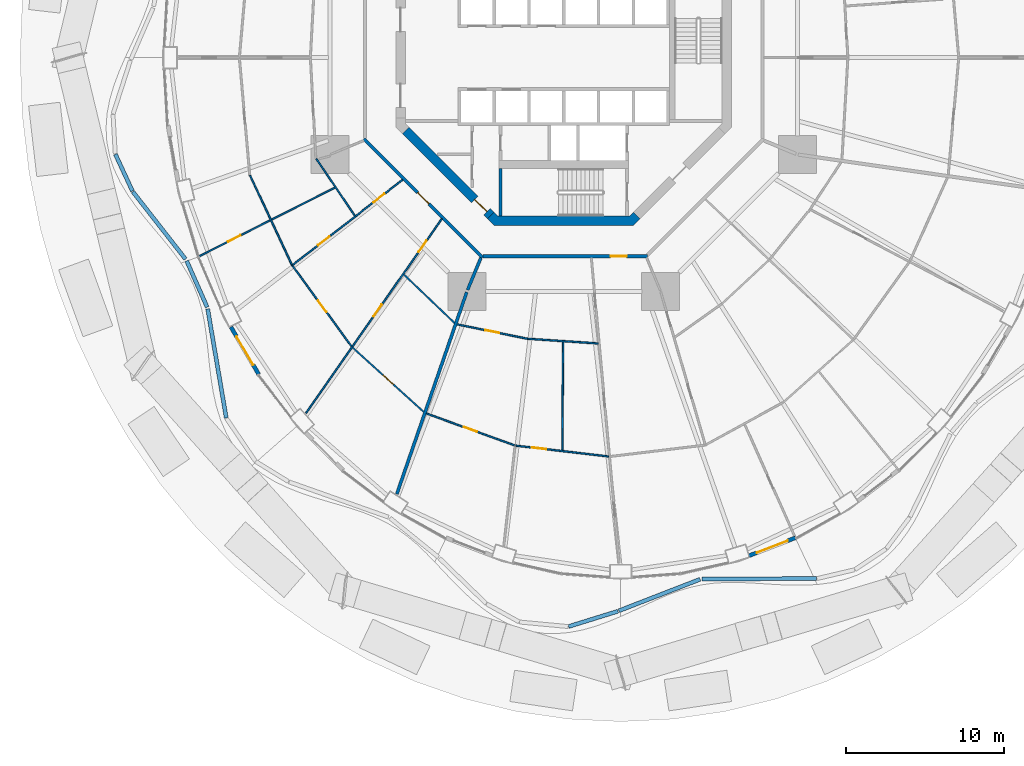
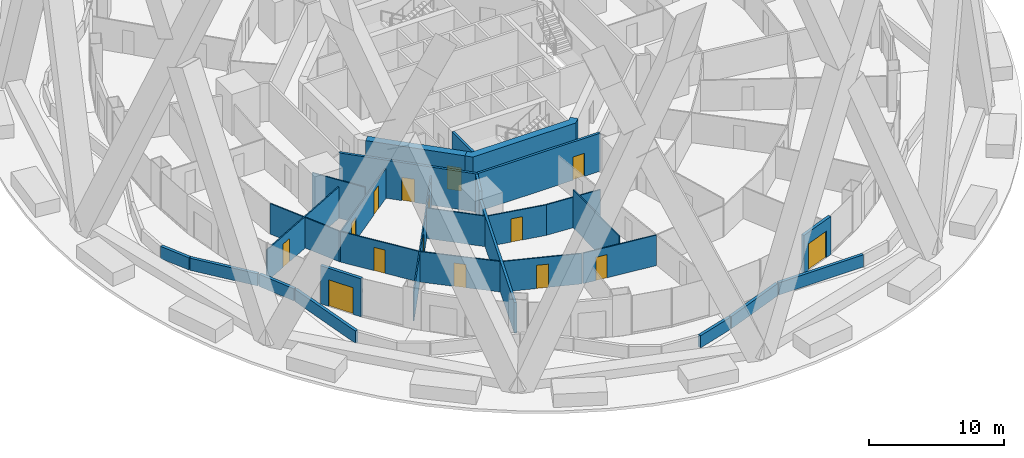
# One storey, part 34 of 42: 29 walls, 15 doors, 15 openings.
"""IFC4 building model written with IfcOpenShell, lengths in metres."""

from ifc_helpers import new_model, si_unit, direction, frame, frame_2d, origin, place, context, subcontext, project, spatial, polyline, rectangle, outline, extrude, material, layer, layer_set, type_object, element, fill, save


model = new_model("IFC4")

# Units and contexts
model_context = context("Model", 3, precision=1e-05, world=origin(), true_north=direction((0.0, 1.0)))
body_context = subcontext(model_context, "Body", "Model", "MODEL_VIEW")
ifc_project = project(units=[si_unit("LENGTHUNIT", "METRE"), si_unit("AREAUNIT", "SQUARE_METRE"), si_unit("VOLUMEUNIT", "CUBIC_METRE"), si_unit("PLANEANGLEUNIT", "RADIAN"), si_unit("MASSUNIT", "GRAM", prefix="KILO")], contexts=[model_context])

# Site, building, storey
site_placement = place(None, origin())
site = spatial("IfcSite", under=ifc_project, at=site_placement, CompositionType="ELEMENT")
building_placement = place(site_placement, origin())
building = spatial("IfcBuilding", under=site, at=building_placement, Name="Nagisa Residences", CompositionType="ELEMENT")
storey_placement = place(building_placement, frame((0.0, 0.0, 27.0)))
storey = spatial("IfcBuildingStorey", under=building, at=storey_placement, Name="L05", CompositionType="ELEMENT", Elevation=27.0)

# Walls
ifc_material_1 = material(Name="Gypsum board on steel studs", Category="steel")
ifc_layer_1 = layer(ifc_material_1, 0.199951171875)
ifc_layer_set_1 = layer_set([ifc_layer_1], Name="Apartment compartment wall EI60 200")
wall_type_1 = type_object("IfcWallType", Name="Apartment compartment wall EI60 200", PredefinedType="PARTITIONING", material=ifc_layer_set_1)
wall_1_placement = place(storey_placement, frame((-5.24267578125, -12.6572265625, 0.0), z_axis=(0.0, 0.0, 1.0), x_axis=(-0.382668627144, -0.923885664896, 0.0)))
element("IfcWall", 1, at=wall_1_placement, inside=storey, type_object=wall_type_1, Name="wall:L05:u04", PredefinedType="PARTITIONING", context=body_context, shape_type="SweptSolid", body=[
    extrude(rectangle(XDim=2.200439453125, YDim=0.199951171875, at=frame_2d((1.10009765625, 0.0))), origin(), (0.0, 0.0, 1.0), 3.43994140625),
])
wall_2_placement = place(storey_placement, frame((-6.139404296875, -14.829345703125, 0.0), z_axis=(0.0, 0.0, 1.0), x_axis=(-0.327178799566, -0.944962450637, 0.0)))
element("IfcWall", 2, at=wall_2_placement, inside=storey, type_object=wall_type_1, Name="wall:L05:u05", PredefinedType="PARTITIONING", context=body_context, shape_type="SweptSolid", body=[
    extrude(rectangle(XDim=13.517333984375, YDim=0.199951171875, at=frame_2d((6.7587890625, 0.0))), origin(), (0.0, 0.0, 1.0), 2.756103515625),
])

# Wall, opening, door
ifc_material_2 = material(Name="Gypsum board on steel studs", Category="steel")
ifc_layer_2 = layer(ifc_material_2, 0.199951171875)
ifc_layer_set_2 = layer_set([ifc_layer_2], Name="Apartment entry wall EI60 200")
wall_type_2 = type_object("IfcWallType", Name="Apartment entry wall EI60 200", PredefinedType="PARTITIONING", material=ifc_layer_set_2)
wall_3_placement = place(storey_placement, frame((-12.635498046875, -5.1337890625, 0.0), z_axis=(0.0, 0.0, 1.0), x_axis=(0.707106781187, -0.707106781187, 0.0)))
wall_3 = element("IfcWall", 3, at=wall_3_placement, inside=storey, type_object=wall_type_2, Name="wall:L05:u13", PredefinedType="PARTITIONING", context=body_context, shape_type="SweptSolid", body=[
    extrude(rectangle(XDim=10.609130859375, YDim=0.199951171875, at=frame_2d((5.3046875, 0.0))), origin(), (0.0, 0.0, 1.0), 3.43994140625),
])
opening_1_placement = place(wall_3_placement, frame((4.804443359375, 0.0, 0.0)))
opening_1 = element("IfcOpeningElement", 4, at=opening_1_placement, cuts=wall_3, Name="Opening L05-U28", PredefinedType="OPENING", context=body_context, shape_type="SweptSolid", body=[
    extrude(rectangle(XDim=1.0, YDim=2.10009765625, at=frame_2d((0.5, 1.050048828125))), frame((0.0, 0.10986328125, 0.0), z_axis=(0.0, -1.0, 0.0), x_axis=(1.0, 0.0, 0.0)), (0.0, 0.0, 1.0), 0.219970703125),
])
ifc_material_3 = material(Name="Timber fire door set", Category="wood")
door_type_1 = type_object("IfcDoorType", Name="Apartment entry door FD30S 1000x2100", OperationType="NOTDEFINED", PredefinedType="DOOR", material=ifc_material_3)
door_1_placement = place(opening_1_placement, frame((1.0, 0.0, 0.0), x_axis=(-1.0, 0.0, 0.0)))
door_1 = element("IfcDoor", 5, at=door_1_placement, inside=storey, type_object=door_type_1, Name="Entry door, Apartment 05C", OperationType="SINGLE_SWING_LEFT", OverallHeight=2.10009765625, OverallWidth=1.0, PredefinedType="DOOR", context=body_context, shape_type="SweptSolid", body=[
    extrude(rectangle(XDim=1.0, YDim=2.10009765625, at=frame_2d((0.5, 1.050048828125))), frame((0.0, 0.02490234375, 0.0), z_axis=(0.0, -1.0, 0.0), x_axis=(1.0, 0.0, 0.0)), (0.0, 0.0, 1.0), 0.050048828125),
])
fill(opening_1, door_1)

wall_4_placement = place(storey_placement, frame((-5.1044921875, -12.564697265625, 0.0), z_axis=(0.0, 0.0, 1.0), x_axis=(1.0, 0.0, 0.0)))
wall_4 = element("IfcWall", 6, at=wall_4_placement, inside=storey, type_object=wall_type_2, Name="wall:L05:u14", PredefinedType="PARTITIONING", context=body_context, shape_type="SweptSolid", body=[
    extrude(rectangle(XDim=10.408935546875, YDim=0.199951171875, at=frame_2d((5.20458984375, 0.0))), origin(), (0.0, 0.0, 1.0), 3.43994140625),
])
opening_2_placement = place(wall_4_placement, frame((8.07421875, 0.0, 0.0)))
opening_2 = element("IfcOpeningElement", 7, at=opening_2_placement, cuts=wall_4, Name="Opening L05-U40", PredefinedType="OPENING", context=body_context, shape_type="SweptSolid", body=[
    extrude(rectangle(XDim=1.0, YDim=2.10009765625, at=frame_2d((0.5, 1.050048828125))), frame((0.0, 0.10986328125, 0.0), z_axis=(0.0, -1.0, 0.0), x_axis=(1.0, 0.0, 0.0)), (0.0, 0.0, 1.0), 0.219970703125),
])
door_2_placement = place(opening_2_placement, frame((1.0, 0.0, 0.0), x_axis=(-1.0, 0.0, 0.0)))
door_2 = element("IfcDoor", 8, at=door_2_placement, inside=storey, type_object=door_type_1, Name="Entry door, Apartment 05D", OperationType="SINGLE_SWING_LEFT", OverallHeight=2.10009765625, OverallWidth=1.0, PredefinedType="DOOR", context=body_context, shape_type="SweptSolid", body=[
    extrude(rectangle(XDim=1.0, YDim=2.10009765625, at=frame_2d((0.5, 1.050048828125))), frame((0.0, 0.02490234375, 0.0), z_axis=(0.0, -1.0, 0.0), x_axis=(1.0, 0.0, 0.0)), (0.0, 0.0, 1.0), 0.050048828125),
])
fill(opening_2, door_2)

# Walls
ifc_material_4 = material(Name="Gypsum board on steel studs", Category="steel")
ifc_layer_3 = layer(ifc_material_4, 0.10009765625)
ifc_layer_set_3 = layer_set([ifc_layer_3], Name="Apartment partition 100")
wall_type_3 = type_object("IfcWallType", Name="Apartment partition 100", PredefinedType="PARTITIONING", material=ifc_layer_set_3)
wall_5_placement = place(storey_placement, frame((-15.655029296875, -6.390625, 0.0), z_axis=(0.0, 0.0, 1.0), x_axis=(0.559126445155, -0.82908239538, 0.0)))
element("IfcWall", 9, at=wall_5_placement, inside=storey, type_object=wall_type_3, Name="wall:L05:u62", PredefinedType="PARTITIONING", context=body_context, shape_type="SweptSolid", body=[
    extrude(rectangle(XDim=4.358154296875, YDim=0.10009765625, at=frame_2d((2.17919921875, 0.0))), origin(), (0.0, 0.0, 1.0), 3.43994140625),
])
wall_6_placement = place(storey_placement, frame((-19.8466796875, -7.4453125, 0.0), z_axis=(0.0, 0.0, 1.0), x_axis=(0.423892287987, -0.905712607942, 0.0)))
element("IfcWall", 10, at=wall_6_placement, inside=storey, type_object=wall_type_3, Name="wall:L05:u63", PredefinedType="PARTITIONING", context=body_context, shape_type="SweptSolid", body=[
    extrude(rectangle(XDim=6.237548828125, YDim=0.10009765625, at=frame_2d((3.11865234375, 0.0))), origin(), (0.0, 0.0, 1.0), 2.756103515625),
])

# Wall, opening, door
wall_7_placement = place(storey_placement, frame((-14.481201171875, -8.2197265625, 0.0), z_axis=(0.0, 0.0, 1.0), x_axis=(-0.892232077638, -0.451577146935, 0.0)))
wall_7 = element("IfcWall", 11, at=wall_7_placement, inside=storey, type_object=wall_type_3, Name="wall:L05:u64", PredefinedType="PARTITIONING", context=body_context, shape_type="SweptSolid", body=[
    extrude(rectangle(XDim=9.723388671875, YDim=0.10009765625, at=frame_2d((4.86181640625, 0.0))), origin(), (0.0, 0.0, 1.0), 2.8369140625),
])
opening_3_placement = place(wall_7_placement, frame((6.678466796875, 0.0, 0.0)))
opening_3 = element("IfcOpeningElement", 12, at=opening_3_placement, cuts=wall_7, Name="Opening L05-U35", PredefinedType="OPENING", context=body_context, shape_type="SweptSolid", body=[
    extrude(rectangle(XDim=0.89990234375, YDim=2.10009765625, at=frame_2d((0.449951171875, 1.050048828125))), frame((0.0, 0.06005859375, 0.0), z_axis=(0.0, -1.0, 0.0), x_axis=(1.0, 0.0, 0.0)), (0.0, 0.0, 1.0), 0.1201171875),
])
ifc_material_5 = material(Name="Timber door set", Category="wood")
door_type_2 = type_object("IfcDoorType", Name="Apartment door 900x2100", OperationType="NOTDEFINED", PredefinedType="DOOR", material=ifc_material_5)
door_3_placement = place(opening_3_placement, frame((0.89990234375, 0.0, 0.0), x_axis=(-1.0, 0.0, 0.0)))
door_3 = element("IfcDoor", 13, at=door_3_placement, inside=storey, type_object=door_type_2, Name="Door to family room, Apartment 05C", OperationType="SINGLE_SWING_RIGHT", OverallHeight=2.10009765625, OverallWidth=0.89990234375, PredefinedType="DOOR", context=body_context, shape_type="SweptSolid", body=[
    extrude(rectangle(XDim=0.89990234375, YDim=2.10009765625, at=frame_2d((0.449951171875, 1.050048828125))), frame((0.0, 0.02490234375, 0.0), z_axis=(0.0, -1.0, 0.0), x_axis=(1.0, 0.0, 0.0)), (0.0, 0.0, 1.0), 0.050048828125),
])
fill(opening_3, door_3)

# Wall, openings, doors
wall_8_placement = place(storey_placement, frame((-10.1904296875, -7.71923828125, 0.0), z_axis=(0.0, 0.0, 1.0), x_axis=(-0.790264549439, -0.612765813259, 0.0)))
wall_8 = element("IfcWall", 14, at=wall_8_placement, inside=storey, type_object=wall_type_3, Name="wall:L05:u65", PredefinedType="PARTITIONING", context=body_context, shape_type="SweptSolid", body=[
    extrude(rectangle(XDim=8.896484375, YDim=0.10009765625, at=frame_2d((4.4482421875, 0.0))), origin(), (0.0, 0.0, 1.0), 2.68701171875),
])
opening_4_placement = place(wall_8_placement, frame((1.447998046875, 0.0, 0.0)))
opening_4 = element("IfcOpeningElement", 15, at=opening_4_placement, cuts=wall_8, Name="Opening L05-U29", PredefinedType="OPENING", context=body_context, shape_type="SweptSolid", body=[
    extrude(rectangle(XDim=0.89990234375, YDim=2.10009765625, at=frame_2d((0.449951171875, 1.050048828125))), frame((0.0, 0.06005859375, 0.0), z_axis=(0.0, -1.0, 0.0), x_axis=(1.0, 0.0, 0.0)), (0.0, 0.0, 1.0), 0.1201171875),
])
opening_5_placement = place(wall_8_placement, frame((5.871337890625, 0.0, 0.0)))
opening_5 = element("IfcOpeningElement", 16, at=opening_5_placement, cuts=wall_8, Name="Opening L05-U31", PredefinedType="OPENING", context=body_context, shape_type="SweptSolid", body=[
    extrude(rectangle(XDim=0.89990234375, YDim=2.10009765625, at=frame_2d((0.449951171875, 1.050048828125))), frame((0.0, 0.06005859375, 0.0), z_axis=(0.0, -1.0, 0.0), x_axis=(1.0, 0.0, 0.0)), (0.0, 0.0, 1.0), 0.1201171875),
])
door_4_placement = place(opening_4_placement, frame((0.89990234375, 0.0, 0.0), x_axis=(-1.0, 0.0, 0.0)))
door_4 = element("IfcDoor", 17, at=door_4_placement, inside=storey, type_object=door_type_2, Name="Door to family bathroom, Apartment 05C", OperationType="SINGLE_SWING_RIGHT", OverallHeight=2.10009765625, OverallWidth=0.89990234375, PredefinedType="DOOR", context=body_context, shape_type="SweptSolid", body=[
    extrude(rectangle(XDim=0.89990234375, YDim=2.10009765625, at=frame_2d((0.449951171875, 1.050048828125))), frame((0.0, 0.02490234375, 0.0), z_axis=(0.0, -1.0, 0.0), x_axis=(1.0, 0.0, 0.0)), (0.0, 0.0, 1.0), 0.050048828125),
])
fill(opening_4, door_4)
door_5_placement = place(opening_5_placement, frame((0.89990234375, 0.0, 0.0), x_axis=(-1.0, 0.0, 0.0)))
door_5 = element("IfcDoor", 18, at=door_5_placement, inside=storey, type_object=door_type_2, Name="Door to family bathroom, Apartment 05C", OperationType="SINGLE_SWING_RIGHT", OverallHeight=2.10009765625, OverallWidth=0.89990234375, PredefinedType="DOOR", context=body_context, shape_type="SweptSolid", body=[
    extrude(rectangle(XDim=0.89990234375, YDim=2.10009765625, at=frame_2d((0.449951171875, 1.050048828125))), frame((0.0, 0.02490234375, 0.0), z_axis=(0.0, -1.0, 0.0), x_axis=(1.0, 0.0, 0.0)), (0.0, 0.0, 1.0), 0.050048828125),
])
fill(opening_5, door_5)

# Wall, opening, door
wall_9_placement = place(storey_placement, frame((-17.15185546875, -13.180419921875, 0.0), z_axis=(0.0, 0.0, 1.0), x_axis=(0.591222750954, -0.806508312886, 0.0)))
wall_9 = element("IfcWall", 19, at=wall_9_placement, inside=storey, type_object=wall_type_3, Name="wall:L05:u66", PredefinedType="PARTITIONING", context=body_context, shape_type="SweptSolid", body=[
    extrude(rectangle(XDim=6.309814453125, YDim=0.10009765625, at=frame_2d((3.15478515625, 0.0))), origin(), (0.0, 0.0, 1.0), 2.756103515625),
])
opening_6_placement = place(wall_9_placement, frame((2.705078125, 0.0, 0.0)))
opening_6 = element("IfcOpeningElement", 20, at=opening_6_placement, cuts=wall_9, Name="Opening L05-U33", PredefinedType="OPENING", context=body_context, shape_type="SweptSolid", body=[
    extrude(rectangle(XDim=0.89990234375, YDim=2.10009765625, at=frame_2d((0.449951171875, 1.050048828125))), frame((0.0, 0.06005859375, 0.0), z_axis=(0.0, -1.0, 0.0), x_axis=(1.0, 0.0, 0.0)), (0.0, 0.0, 1.0), 0.1201171875),
])
door_6_placement = place(opening_6_placement, frame((0.89990234375, 0.0, 0.0), x_axis=(-1.0, 0.0, 0.0)))
door_6 = element("IfcDoor", 21, at=door_6_placement, inside=storey, type_object=door_type_2, Name="Door to dining room, Apartment 05C", OperationType="SINGLE_SWING_RIGHT", OverallHeight=2.10009765625, OverallWidth=0.89990234375, PredefinedType="DOOR", context=body_context, shape_type="SweptSolid", body=[
    extrude(rectangle(XDim=0.89990234375, YDim=2.10009765625, at=frame_2d((0.449951171875, 1.050048828125))), frame((0.0, 0.02490234375, 0.0), z_axis=(0.0, -1.0, 0.0), x_axis=(1.0, 0.0, 0.0)), (0.0, 0.0, 1.0), 0.050048828125),
])
fill(opening_6, door_6)

# Wall, openings, doors
wall_10_placement = place(storey_placement, frame((-7.71533203125, -10.193359375, 0.0), z_axis=(0.0, 0.0, 1.0), x_axis=(-0.573126964124, -0.819466584428, 0.0)))
wall_10 = element("IfcWall", 22, at=wall_10_placement, inside=storey, type_object=wall_type_3, Name="wall:L05:u67", PredefinedType="PARTITIONING", context=body_context, shape_type="SweptSolid", body=[
    extrude(rectangle(XDim=15.0009765625, YDim=0.10009765625, at=frame_2d((7.50048828125, 0.0))), origin(), (0.0, 0.0, 1.0), 2.68701171875),
])
opening_7_placement = place(wall_10_placement, frame((1.678466796875, 0.0, 0.0)))
opening_7 = element("IfcOpeningElement", 23, at=opening_7_placement, cuts=wall_10, Name="Opening L05-U30", PredefinedType="OPENING", context=body_context, shape_type="SweptSolid", body=[
    extrude(rectangle(XDim=0.89990234375, YDim=2.10009765625, at=frame_2d((0.449951171875, 1.050048828125))), frame((0.0, 0.06005859375, 0.0), z_axis=(0.0, -1.0, 0.0), x_axis=(1.0, 0.0, 0.0)), (0.0, 0.0, 1.0), 0.1201171875),
])
opening_8_placement = place(wall_10_placement, frame((6.630615234375, 0.0, 0.0)))
opening_8 = element("IfcOpeningElement", 24, at=opening_8_placement, cuts=wall_10, Name="Opening L05-U32", PredefinedType="OPENING", context=body_context, shape_type="SweptSolid", body=[
    extrude(rectangle(XDim=0.89990234375, YDim=2.10009765625, at=frame_2d((0.449951171875, 1.050048828125))), frame((0.0, 0.06005859375, 0.0), z_axis=(0.0, -1.0, 0.0), x_axis=(1.0, 0.0, 0.0)), (0.0, 0.0, 1.0), 0.1201171875),
])
door_7_placement = place(opening_7_placement, origin())
door_7 = element("IfcDoor", 25, at=door_7_placement, inside=storey, type_object=door_type_2, Name="Door to family bathroom, Apartment 05C", OperationType="SINGLE_SWING_RIGHT", OverallHeight=2.10009765625, OverallWidth=0.89990234375, PredefinedType="DOOR", context=body_context, shape_type="SweptSolid", body=[
    extrude(rectangle(XDim=0.89990234375, YDim=2.10009765625, at=frame_2d((0.449951171875, 1.050048828125))), frame((0.0, 0.02490234375, 0.0), z_axis=(0.0, -1.0, 0.0), x_axis=(1.0, 0.0, 0.0)), (0.0, 0.0, 1.0), 0.050048828125),
])
fill(opening_7, door_7)
door_8_placement = place(opening_8_placement, origin())
door_8 = element("IfcDoor", 26, at=door_8_placement, inside=storey, type_object=door_type_2, Name="Door to family room, Apartment 05C", OperationType="SINGLE_SWING_RIGHT", OverallHeight=2.10009765625, OverallWidth=0.89990234375, PredefinedType="DOOR", context=body_context, shape_type="SweptSolid", body=[
    extrude(rectangle(XDim=0.89990234375, YDim=2.10009765625, at=frame_2d((0.449951171875, 1.050048828125))), frame((0.0, 0.02490234375, 0.0), z_axis=(0.0, -1.0, 0.0), x_axis=(1.0, 0.0, 0.0)), (0.0, 0.0, 1.0), 0.050048828125),
])
fill(opening_8, door_8)

# Wall
wall_11_placement = place(storey_placement, frame((-10.118896484375, -13.716064453125, 0.0), z_axis=(0.0, 0.0, 1.0), x_axis=(0.722775679202, -0.691082713975, 0.0)))
element("IfcWall", 27, at=wall_11_placement, inside=storey, type_object=wall_type_3, Name="wall:L05:u68", PredefinedType="PARTITIONING", context=body_context, shape_type="SweptSolid", body=[
    extrude(rectangle(XDim=4.43701171875, YDim=0.10009765625, at=frame_2d((2.218505859375, 0.0))), origin(), (0.0, 0.0, 1.0), 2.756103515625),
])

# Wall, opening, door
wall_12_placement = place(storey_placement, frame((-13.354736328125, -18.34326171875, 0.0), z_axis=(0.0, 0.0, 1.0), x_axis=(0.741713303551, -0.670717060567, 0.0)))
wall_12 = element("IfcWall", 28, at=wall_12_placement, inside=storey, type_object=wall_type_3, Name="wall:L05:u69", PredefinedType="PARTITIONING", context=body_context, shape_type="SweptSolid", body=[
    extrude(rectangle(XDim=6.05908203125, YDim=0.10009765625, at=frame_2d((3.029541015625, 0.0))), origin(), (0.0, 0.0, 1.0), 2.756103515625),
])
opening_9_placement = place(wall_12_placement, frame((2.57958984375, 0.0, 0.0)))
opening_9 = element("IfcOpeningElement", 29, at=opening_9_placement, cuts=wall_12, Name="Opening L05-U34", PredefinedType="OPENING", context=body_context, shape_type="SweptSolid", body=[
    extrude(rectangle(XDim=0.89990234375, YDim=2.10009765625, at=frame_2d((0.449951171875, 1.050048828125))), frame((0.0, 0.06005859375, 0.0), z_axis=(0.0, -1.0, 0.0), x_axis=(1.0, 0.0, 0.0)), (0.0, 0.0, 1.0), 0.1201171875),
])
door_9_placement = place(opening_9_placement, frame((0.89990234375, 0.0, 0.0), x_axis=(-1.0, 0.0, 0.0)))
door_9 = element("IfcDoor", 30, at=door_9_placement, inside=storey, type_object=door_type_2, Name="Door to master bedroom, Apartment 05C", OperationType="SINGLE_SWING_LEFT", OverallHeight=2.10009765625, OverallWidth=0.89990234375, PredefinedType="DOOR", context=body_context, shape_type="SweptSolid", body=[
    extrude(rectangle(XDim=0.89990234375, YDim=2.10009765625, at=frame_2d((0.449951171875, 1.050048828125))), frame((0.0, 0.02490234375, 0.0), z_axis=(0.0, -1.0, 0.0), x_axis=(1.0, 0.0, 0.0)), (0.0, 0.0, 1.0), 0.050048828125),
])
fill(opening_9, door_9)

wall_13_placement = place(storey_placement, frame((-6.741455078125, -16.871826171875, 0.0), z_axis=(0.0, 0.0, 1.0), x_axis=(0.979595137747, -0.200981009307, 0.0)))
wall_13 = element("IfcWall", 31, at=wall_13_placement, inside=storey, type_object=wall_type_3, Name="wall:L05:u70", PredefinedType="PARTITIONING", context=body_context, shape_type="SweptSolid", body=[
    extrude(rectangle(XDim=4.5625, YDim=0.10009765625, at=frame_2d((2.28125, 0.0))), origin(), (0.0, 0.0, 1.0), 2.756103515625),
])
opening_10_placement = place(wall_13_placement, frame((1.806396484375, 0.0, 0.0)))
opening_10 = element("IfcOpeningElement", 32, at=opening_10_placement, cuts=wall_13, Name="Opening L05-U44", PredefinedType="OPENING", context=body_context, shape_type="SweptSolid", body=[
    extrude(rectangle(XDim=0.89990234375, YDim=2.10009765625, at=frame_2d((0.449951171875, 1.050048828125))), frame((0.0, 0.06005859375, 0.0), z_axis=(0.0, -1.0, 0.0), x_axis=(1.0, 0.0, 0.0)), (0.0, 0.0, 1.0), 0.1201171875),
])
door_10_placement = place(opening_10_placement, frame((0.89990234375, 0.0, 0.0), x_axis=(-1.0, 0.0, 0.0)))
door_10 = element("IfcDoor", 33, at=door_10_placement, inside=storey, type_object=door_type_2, Name="Door to dining room, Apartment 05D", OperationType="SINGLE_SWING_LEFT", OverallHeight=2.10009765625, OverallWidth=0.89990234375, PredefinedType="DOOR", context=body_context, shape_type="SweptSolid", body=[
    extrude(rectangle(XDim=0.89990234375, YDim=2.10009765625, at=frame_2d((0.449951171875, 1.050048828125))), frame((0.0, 0.02490234375, 0.0), z_axis=(0.0, -1.0, 0.0), x_axis=(1.0, 0.0, 0.0)), (0.0, 0.0, 1.0), 0.050048828125),
])
fill(opening_10, door_10)

wall_14_placement = place(storey_placement, frame((-8.6923828125, -22.50830078125, 0.0), z_axis=(0.0, 0.0, 1.0), x_axis=(0.940401494588, -0.340066212636, 0.0)))
wall_14 = element("IfcWall", 34, at=wall_14_placement, inside=storey, type_object=wall_type_3, Name="wall:L05:u71", PredefinedType="PARTITIONING", context=body_context, shape_type="SweptSolid", body=[
    extrude(rectangle(XDim=5.9169921875, YDim=0.10009765625, at=frame_2d((2.95849609375, 0.0))), origin(), (0.0, 0.0, 1.0), 2.756103515625),
])
opening_11_placement = place(wall_14_placement, frame((2.508544921875, 0.0, 0.0)))
opening_11 = element("IfcOpeningElement", 35, at=opening_11_placement, cuts=wall_14, Name="Opening L05-U49", PredefinedType="OPENING", context=body_context, shape_type="SweptSolid", body=[
    extrude(rectangle(XDim=0.89990234375, YDim=2.10009765625, at=frame_2d((0.449951171875, 1.050048828125))), frame((0.0, 0.06005859375, 0.0), z_axis=(0.0, -1.0, 0.0), x_axis=(1.0, 0.0, 0.0)), (0.0, 0.0, 1.0), 0.1201171875),
])
door_11_placement = place(opening_11_placement, frame((0.89990234375, 0.0, 0.0), x_axis=(-1.0, 0.0, 0.0)))
door_11 = element("IfcDoor", 36, at=door_11_placement, inside=storey, type_object=door_type_2, Name="Door to master bedroom, Apartment 05D", OperationType="SINGLE_SWING_RIGHT", OverallHeight=2.10009765625, OverallWidth=0.89990234375, PredefinedType="DOOR", context=body_context, shape_type="SweptSolid", body=[
    extrude(rectangle(XDim=0.89990234375, YDim=2.10009765625, at=frame_2d((0.449951171875, 1.050048828125))), frame((0.0, 0.02490234375, 0.0), z_axis=(0.0, -1.0, 0.0), x_axis=(1.0, 0.0, 0.0)), (0.0, 0.0, 1.0), 0.050048828125),
])
fill(opening_11, door_11)

# Wall
wall_15_placement = place(storey_placement, frame((-2.27099609375, -17.781982421875, 0.0), z_axis=(0.0, 0.0, 1.0), x_axis=(0.997791437766, -0.066424744789, 0.0)))
element("IfcWall", 37, at=wall_15_placement, inside=storey, type_object=wall_type_3, Name="wall:L05:u72", PredefinedType="PARTITIONING", context=body_context, shape_type="SweptSolid", body=[
    extrude(rectangle(XDim=4.46923828125, YDim=0.10009765625, at=frame_2d((2.234619140625, 0.0))), origin(), (0.0, 0.0, 1.0), 2.756103515625),
])

# Wall, opening, door
wall_16_placement = place(storey_placement, frame((-3.03125, -24.543212890625, 0.0), z_axis=(0.0, 0.0, 1.0), x_axis=(0.993255612046, -0.115945198862, 0.0)))
wall_16 = element("IfcWall", 38, at=wall_16_placement, inside=storey, type_object=wall_type_3, Name="wall:L05:u74", PredefinedType="PARTITIONING", context=body_context, shape_type="SweptSolid", body=[
    extrude(rectangle(XDim=5.91259765625, YDim=0.10009765625, at=frame_2d((2.956298828125, 0.0))), origin(), (0.0, 0.0, 1.0), 2.756103515625),
])
opening_12_placement = place(wall_16_placement, frame((1.028076171875, 0.0, 0.0)))
opening_12 = element("IfcOpeningElement", 39, at=opening_12_placement, cuts=wall_16, Name="Opening L05-U50", PredefinedType="OPENING", context=body_context, shape_type="SweptSolid", body=[
    extrude(rectangle(XDim=0.89990234375, YDim=2.10009765625, at=frame_2d((0.449951171875, 1.050048828125))), frame((0.0, 0.06005859375, 0.0), z_axis=(0.0, -1.0, 0.0), x_axis=(1.0, 0.0, 0.0)), (0.0, 0.0, 1.0), 0.1201171875),
])
door_12_placement = place(opening_12_placement, frame((0.89990234375, 0.0, 0.0), x_axis=(-1.0, 0.0, 0.0)))
door_12 = element("IfcDoor", 40, at=door_12_placement, inside=storey, type_object=door_type_2, Name="Door to family room, Apartment 05D", OperationType="SINGLE_SWING_LEFT", OverallHeight=2.10009765625, OverallWidth=0.89990234375, PredefinedType="DOOR", context=body_context, shape_type="SweptSolid", body=[
    extrude(rectangle(XDim=0.89990234375, YDim=2.10009765625, at=frame_2d((0.449951171875, 1.050048828125))), frame((0.0, 0.02490234375, 0.0), z_axis=(0.0, -1.0, 0.0), x_axis=(1.0, 0.0, 0.0)), (0.0, 0.0, 1.0), 0.050048828125),
])
fill(opening_12, door_12)

# Wall
wall_17_placement = place(storey_placement, frame((-0.041748046875, -17.98046875, 0.0), z_axis=(0.0, 0.0, 1.0), x_axis=(-0.007692080119, -0.999970415514, 0.0)))
element("IfcWall", 41, at=wall_17_placement, inside=storey, type_object=wall_type_3, Name="wall:L05:u75", PredefinedType="PARTITIONING", context=body_context, shape_type="SweptSolid", body=[
    extrude(rectangle(XDim=6.855712890625, YDim=0.10009765625, at=frame_2d((3.427734375, 0.0))), origin(), (0.0, 0.0, 1.0), 3.43994140625),
])

# Wall, opening, door
ifc_material_6 = material(Name="Precast concrete C40/50", Category="concrete")
ifc_layer_4 = layer(ifc_material_6, 0.25)
ifc_layer_set_4 = layer_set([ifc_layer_4], Name="BALCONY DOOR WALL 250")
wall_type_4 = type_object("IfcWallType", Name="BALCONY DOOR WALL 250", PredefinedType="SOLIDWALL", material=ifc_layer_set_4)
wall_18_placement = place(storey_placement, frame((-19.299560546875, -20.02587890625, 0.0), z_axis=(0.0, 0.0, 1.0), x_axis=(-0.506311160839, 0.862350861546, 0.0)))
wall_18 = element("IfcWall", 42, at=wall_18_placement, inside=storey, type_object=wall_type_4, Name="wall:L05:bay28", PredefinedType="SOLIDWALL", context=body_context, shape_type="SweptSolid", body=[
    extrude(rectangle(XDim=3.462158203125, YDim=0.25, at=frame_2d((1.73095703125, 0.0))), origin(), (0.0, 0.0, 1.0), 3.43994140625),
])
opening_13_placement = place(wall_18_placement, frame((0.68115234375, 0.0, 0.0)))
opening_13 = element("IfcOpeningElement", 43, at=opening_13_placement, cuts=wall_18, Name="Opening BD-L05-10", PredefinedType="OPENING", context=body_context, shape_type="SweptSolid", body=[
    extrude(rectangle(XDim=2.10009765625, YDim=2.39990234375, at=frame_2d((1.050048828125, 1.199951171875))), frame((0.0, 0.135009765625, 0.0), z_axis=(0.0, -1.0, 0.0), x_axis=(1.0, 0.0, 0.0)), (0.0, 0.0, 1.0), 0.27001953125),
])
ifc_material_7 = material(Name="Aluminium and clear glass", Category="aluminium")
door_type_3 = type_object("IfcDoorType", Name="BALCONY SLIDING DOOR 2100x2400", OperationType="SLIDING_TO_LEFT", PredefinedType="DOOR", material=ifc_material_7)
door_13_placement = place(opening_13_placement, origin())
door_13 = element("IfcDoor", 44, at=door_13_placement, inside=storey, type_object=door_type_3, Name="door:L05:bay28", OperationType="SLIDING_TO_LEFT", OverallHeight=2.39990234375, OverallWidth=2.10009765625, PredefinedType="DOOR", context=body_context, shape_type="SweptSolid", body=[
    extrude(rectangle(XDim=2.10009765625, YDim=2.39990234375, at=frame_2d((1.050048828125, 1.199951171875))), frame((0.0, 0.02490234375, 0.0), z_axis=(0.0, -1.0, 0.0), x_axis=(1.0, 0.0, 0.0)), (0.0, 0.0, 1.0), 0.050048828125),
])
fill(opening_13, door_13)

wall_19_placement = place(storey_placement, frame((14.65283203125, -30.371337890625, 0.0), z_axis=(0.0, 0.0, 1.0), x_axis=(-0.932809381943, -0.360370166577, 0.0)))
wall_19 = element("IfcWall", 45, at=wall_19_placement, inside=storey, type_object=wall_type_4, Name="wall:L05:bay38", PredefinedType="SOLIDWALL", context=body_context, shape_type="SweptSolid", body=[
    extrude(rectangle(XDim=3.15087890625, YDim=0.25, at=frame_2d((1.575439453125, 0.0))), origin(), (0.0, 0.0, 1.0), 3.43994140625),
])
opening_14_placement = place(wall_19_placement, frame((0.525390625, 0.0, 0.0)))
opening_14 = element("IfcOpeningElement", 46, at=opening_14_placement, cuts=wall_19, Name="Opening BD-L05-13", PredefinedType="OPENING", context=body_context, shape_type="SweptSolid", body=[
    extrude(rectangle(XDim=2.10009765625, YDim=2.39990234375, at=frame_2d((1.050048828125, 1.199951171875))), frame((0.0, 0.135009765625, 0.0), z_axis=(0.0, -1.0, 0.0), x_axis=(1.0, 0.0, 0.0)), (0.0, 0.0, 1.0), 0.27001953125),
])
door_14_placement = place(opening_14_placement, origin())
door_14 = element("IfcDoor", 47, at=door_14_placement, inside=storey, type_object=door_type_3, Name="door:L05:bay38", OperationType="SLIDING_TO_LEFT", OverallHeight=2.39990234375, OverallWidth=2.10009765625, PredefinedType="DOOR", context=body_context, shape_type="SweptSolid", body=[
    extrude(rectangle(XDim=2.10009765625, YDim=2.39990234375, at=frame_2d((1.050048828125, 1.199951171875))), frame((0.0, 0.02490234375, 0.0), z_axis=(0.0, -1.0, 0.0), x_axis=(1.0, 0.0, 0.0)), (0.0, 0.0, 1.0), 0.050048828125),
])
fill(opening_14, door_14)

ifc_material_8 = material(Name="Concrete C60", Category="concrete")
ifc_layer_5 = layer(ifc_material_8, 0.60009765625)
ifc_layer_set_5 = layer_set([ifc_layer_5], Name="Core shear wall 600")
wall_type_5 = type_object("IfcWallType", Name="Core shear wall 600", PredefinedType="SHEAR", material=ifc_layer_set_5)
wall_20_placement = place(storey_placement, frame((-9.98828125, -4.613037109375, 0.0), z_axis=(0.0, 0.0, 1.0), x_axis=(0.707106781187, -0.707106781187, 0.0)))
wall_20 = element("IfcWall", 48, at=wall_20_placement, inside=storey, type_object=wall_type_5, Name="wall:L05:core:flat5", PredefinedType="SHEAR", context=body_context, shape_type="SweptSolid", body=[
    extrude(rectangle(XDim=7.601806640625, YDim=0.60009765625, at=frame_2d((3.80078125, 0.0))), origin(), (0.0, 0.0, 1.0), 3.43994140625),
])
opening_15_placement = place(wall_20_placement, frame((6.15087890625, 0.0, 0.0)))
opening_15 = element("IfcOpeningElement", 49, at=opening_15_placement, cuts=wall_20, Name="Opening L05-C22", PredefinedType="OPENING", context=body_context, shape_type="SweptSolid", body=[
    extrude(rectangle(XDim=1.10009765625, YDim=2.10009765625, at=frame_2d((0.550048828125, 1.050048828125))), frame((0.0, 0.31005859375, 0.0), z_axis=(0.0, -1.0, 0.0), x_axis=(1.0, 0.0, 0.0)), (0.0, 0.0, 1.0), 0.6201171875),
])
ifc_material_9 = material(Name="Steel fire door", Category="steel")
door_type_4 = type_object("IfcDoorType", Name="Fire door EI60 1100x2100 single swing", OperationType="NOTDEFINED", PredefinedType="DOOR", material=ifc_material_9)
door_15_placement = place(opening_15_placement, origin())
door_15 = element("IfcDoor", 50, at=door_15_placement, inside=storey, type_object=door_type_4, Name="Housekeeping lobby door L05", OperationType="SINGLE_SWING_LEFT", OverallHeight=2.10009765625, OverallWidth=1.10009765625, PredefinedType="DOOR", context=body_context, shape_type="SweptSolid", body=[
    extrude(rectangle(XDim=1.10009765625, YDim=2.10009765625, at=frame_2d((0.550048828125, 1.050048828125))), frame((0.0, 0.02490234375, 0.0), z_axis=(0.0, -1.0, 0.0), x_axis=(1.0, 0.0, 0.0)), (0.0, 0.0, 1.0), 0.050048828125),
])
fill(opening_15, door_15)

# Walls
wall_21_placement = place(storey_placement, origin())
element("IfcWall", 51, at=wall_21_placement, inside=storey, type_object=wall_type_5, Name="wall:L05:core:flat6", PredefinedType="SHEAR", context=body_context, shape_type="SweptSolid", body=[
    extrude(outline(polyline([(-4.15234375, -10.024658203125), (4.15234375, -10.024658203125), (4.40087890625, -9.776123046875), (4.8251953125, -10.200439453125), (4.40087890625, -10.62451171875), (-4.40087890625, -10.62451171875), (-4.8251953125, -10.200439453125), (-4.40087890625, -9.776123046875), (-4.15234375, -10.024658203125)])), origin(), (0.0, 0.0, 1.0), 3.43994140625),
])
ifc_material_10 = material(Name="Precast concrete C40/50", Category="concrete")
ifc_layer_6 = layer(ifc_material_10, 0.25)
ifc_layer_set_6 = layer_set([ifc_layer_6], Name="PARAPET 250")
wall_type_6 = type_object("IfcWallType", Name="PARAPET 250", PredefinedType="PARAPET", material=ifc_layer_set_6)
wall_22_placement = place(storey_placement, frame((-28.3662109375, -6.107421875, 0.0), z_axis=(0.0, 0.0, 1.0), x_axis=(0.420306319232, -0.907382277771, 0.0)))
element("IfcWall", 52, at=wall_22_placement, inside=storey, type_object=wall_type_6, Name="parapet:L05:bal08-0-02", PredefinedType="PARAPET", context=body_context, shape_type="SweptSolid", body=[
    extrude(rectangle(XDim=2.56689453125, YDim=0.25, at=frame_2d((1.283447265625, 0.0))), origin(), (0.0, 0.0, 1.0), 1.10009765625),
])
wall_23_placement = place(storey_placement, frame((-27.2607421875, -8.47998046875, 0.0), z_axis=(0.0, 0.0, 1.0), x_axis=(0.615882240598, -0.787838223061, 0.0)))
element("IfcWall", 53, at=wall_23_placement, inside=storey, type_object=wall_type_6, Name="parapet:L05:bal08-0-03", PredefinedType="PARAPET", context=body_context, shape_type="SweptSolid", body=[
    extrude(rectangle(XDim=5.409423828125, YDim=0.25, at=frame_2d((2.70458984375, 0.0))), origin(), (0.0, 0.0, 1.0), 1.10009765625),
])
wall_24_placement = place(storey_placement, frame((-23.85888671875, -12.849365234375, 0.0), z_axis=(0.0, 0.0, 1.0), x_axis=(0.40486170938, -0.914377928582, 0.0)))
element("IfcWall", 54, at=wall_24_placement, inside=storey, type_object=wall_type_6, Name="parapet:L05:bal09-0-00", PredefinedType="PARAPET", context=body_context, shape_type="SweptSolid", body=[
    extrude(rectangle(XDim=3.21240234375, YDim=0.25, at=frame_2d((1.606201171875, 0.0))), origin(), (0.0, 0.0, 1.0), 1.10009765625),
])
wall_25_placement = place(storey_placement, frame((-22.526611328125, -15.892333984375, 0.0), z_axis=(0.0, 0.0, 1.0), x_axis=(0.168107215642, -0.985768717321, 0.0)))
element("IfcWall", 55, at=wall_25_placement, inside=storey, type_object=wall_type_6, Name="parapet:L05:bal09-0-01", PredefinedType="PARAPET", context=body_context, shape_type="SweptSolid", body=[
    extrude(rectangle(XDim=7.00146484375, YDim=0.25, at=frame_2d((3.500732421875, 0.0))), origin(), (0.0, 0.0, 1.0), 1.10009765625),
])
wall_26_placement = place(storey_placement, frame((0.3076171875, -35.984375, 0.0), z_axis=(0.0, 0.0, 1.0), x_axis=(0.955072156414, 0.296373372695, 0.0)))
element("IfcWall", 56, at=wall_26_placement, inside=storey, type_object=wall_type_6, Name="parapet:L05:bal11-0-03", PredefinedType="PARAPET", context=body_context, shape_type="SweptSolid", body=[
    extrude(rectangle(XDim=3.268798828125, YDim=0.25, at=frame_2d((1.63427734375, 0.0))), origin(), (0.0, 0.0, 1.0), 1.10009765625),
])
wall_27_placement = place(storey_placement, frame((3.487060546875, -34.989501953125, 0.0), z_axis=(0.0, 0.0, 1.0), x_axis=(0.932281162563, 0.361734479874, 0.0)))
element("IfcWall", 57, at=wall_27_placement, inside=storey, type_object=wall_type_6, Name="parapet:L05:bal12-0-00", PredefinedType="PARAPET", context=body_context, shape_type="SweptSolid", body=[
    extrude(rectangle(XDim=5.5126953125, YDim=0.25, at=frame_2d((2.75634765625, 0.0))), origin(), (0.0, 0.0, 1.0), 1.10009765625),
])
wall_28_placement = place(storey_placement, frame((8.748779296875, -32.972412109375, 0.0), z_axis=(0.0, 0.0, 1.0), x_axis=(0.999997519695, 0.002227241126, 0.0)))
element("IfcWall", 58, at=wall_28_placement, inside=storey, type_object=wall_type_6, Name="parapet:L05:bal12-0-01", PredefinedType="PARAPET", context=body_context, shape_type="SweptSolid", body=[
    extrude(rectangle(XDim=7.234619140625, YDim=0.25, at=frame_2d((3.6171875, 0.0))), origin(), (0.0, 0.0, 1.0), 1.10009765625),
])
ifc_material_11 = material(Name="Concrete C60", Category="concrete")
ifc_layer_7 = layer(ifc_material_11, 0.199951171875)
ifc_layer_set_7 = layer_set([ifc_layer_7], Name="Stair enclosure wall 200")
wall_type_7 = type_object("IfcWallType", Name="Stair enclosure wall 200", PredefinedType="SOLIDWALL", material=ifc_layer_set_7)
wall_29_placement = place(storey_placement, origin())
element("IfcWall", 59, at=wall_29_placement, inside=storey, type_object=wall_type_7, Name="wall:L05:SS_w", PredefinedType="SOLIDWALL", context=body_context, shape_type="SweptSolid", body=[
    extrude(outline(polyline([(-3.89990234375, -10.024658203125), (-4.10009765625, -10.024658203125), (-4.10009765625, -7.024658203125), (-3.89990234375, -7.024658203125), (-3.89990234375, -10.024658203125)])), origin(), (0.0, 0.0, 1.0), 3.43994140625),
])

save(model, "model.ifc")
